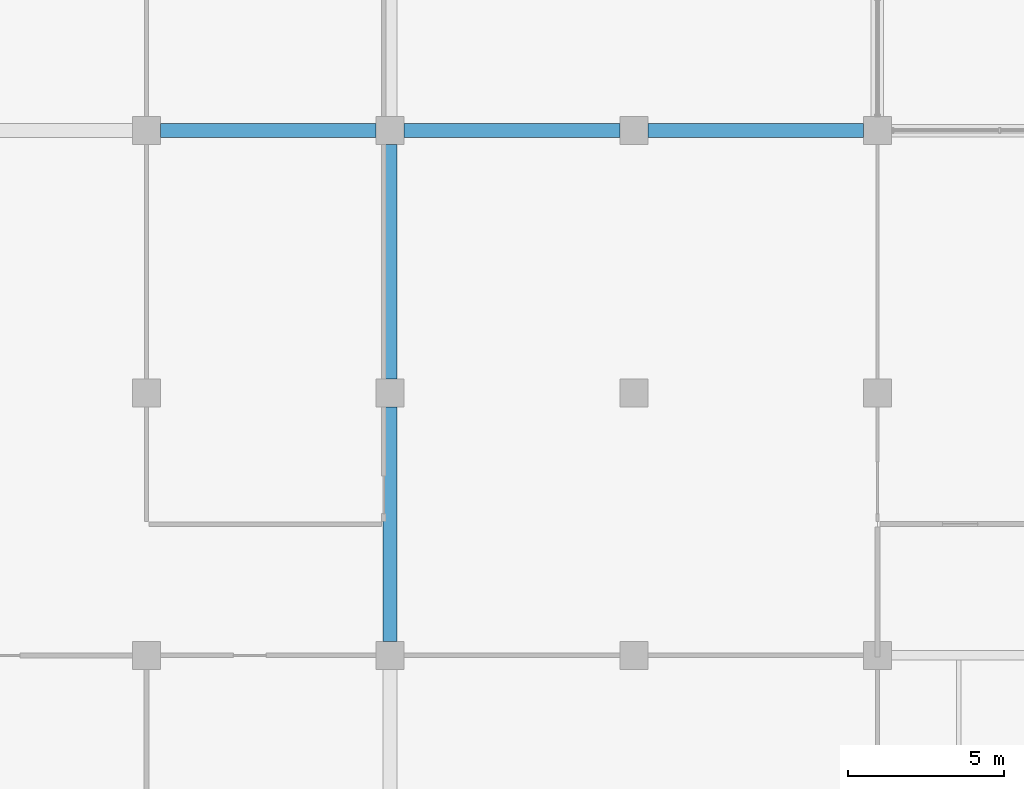
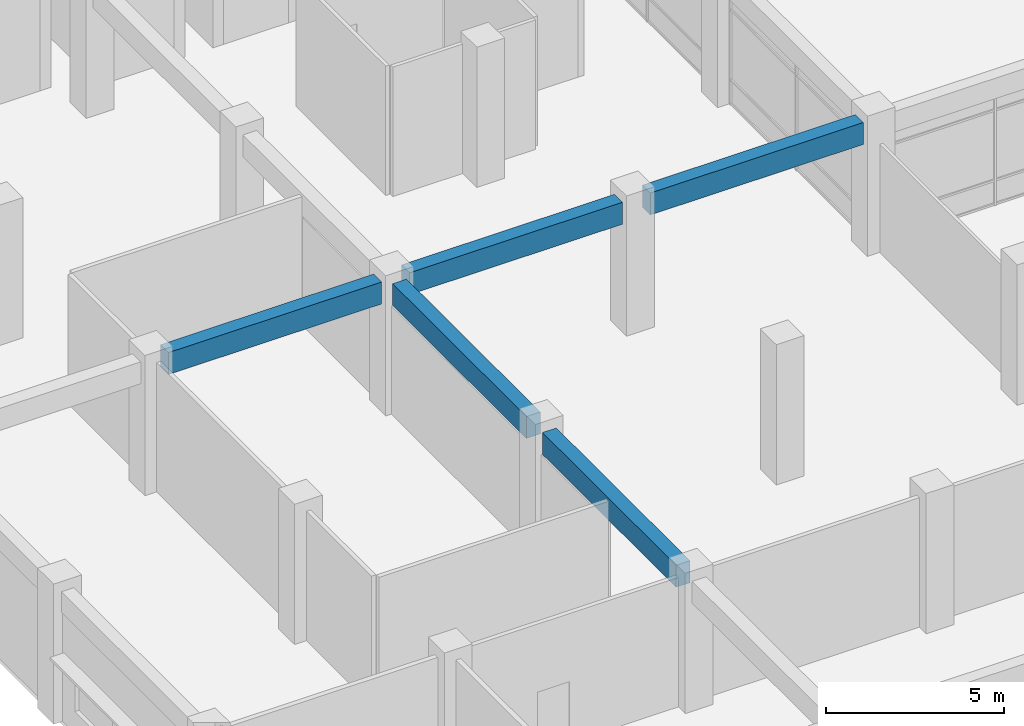
# One storey, part 4 of 74: 5 beams.
"""IFC4 building model written with IfcOpenShell, lengths in metres."""

from ifc_helpers import new_model, si_unit, direction, frame, origin, origin_2d, place, context, subcontext, project, spatial, rectangle, extrude, material, material_profile, profile_set, type_object, element, save


model = new_model("IFC4")

# Units and contexts
model_context = context("Model", 3, precision=1e-05, world=origin(), true_north=direction((0.0, 1.0)))
body_context = subcontext(model_context, "Body", "Model", "MODEL_VIEW")
ifc_project = project(units=[si_unit("LENGTHUNIT", "METRE"), si_unit("AREAUNIT", "SQUARE_METRE"), si_unit("VOLUMEUNIT", "CUBIC_METRE"), si_unit("PLANEANGLEUNIT", "RADIAN"), si_unit("MASSUNIT", "GRAM", prefix="KILO"), si_unit("THERMODYNAMICTEMPERATUREUNIT", "KELVIN"), si_unit("POWERUNIT", "WATT")], contexts=[model_context])

# Site, building, storey
site_placement = place(None, origin())
site = spatial("IfcSite", under=ifc_project, at=site_placement, CompositionType="ELEMENT")
building_placement = place(site_placement, origin())
building = spatial("IfcBuilding", under=site, at=building_placement, Name="Srebrne Nadtorze General Hospital", CompositionType="ELEMENT")
storey_placement = place(building_placement, origin())
storey = spatial("IfcBuildingStorey", under=building, at=storey_placement, Name="L00", CompositionType="ELEMENT", Elevation=0.0)

# Beams
ifc_material = material(Name="Concrete C40/50", Category="concrete")
ifc_material_profile = material_profile(ifc_material, rectangle(XDim=0.449951171875, YDim=0.75, at=origin_2d()), Name="RC-BM-450x750")
ifc_profile_set = profile_set([ifc_material_profile], Name="Concrete C40/50")
beam_type = type_object("IfcBeamType", Name="Primary beam RC 450x750", PredefinedType="BEAM", material=ifc_profile_set)
for number, where, z_axis, x_axis, name in (
    (1, (31.64990234375, 25.199951171875, 4.074951171875), (1.0, 0.0, 0.0), (0.0, 1.0, 0.0), "Beam BM-L00-X-0200"),
    (2, (39.449951171875, 25.199951171875, 4.074951171875), (1.0, 0.0, 0.0), (0.0, 1.0, 0.0), "Beam BM-L00-X-0201"),
):
    element("IfcBeam", number, at=place(storey_placement, frame(where, z_axis=z_axis, x_axis=x_axis)), inside=storey, type_object=beam_type, Name=name, PredefinedType="BEAM", context=body_context, shape_type="SweptSolid", body=[
        extrude(rectangle(XDim=0.449951171875, YDim=0.75, at=origin_2d()), origin(), (0.0, 0.0, 1.0), 6.900146484375),
    ])
beam_placement = place(storey_placement, frame((47.25, 25.199951171875, 4.074951171875), z_axis=(1.0, 0.0, 0.0), x_axis=(0.0, 1.0, 0.0)))
element("IfcBeam", 3, at=beam_placement, inside=storey, type_object=beam_type, Name="Beam BM-L00-X-0202", PredefinedType="BEAM", context=body_context, shape_type="SweptSolid", body=[
    extrude(rectangle(XDim=0.449951171875, YDim=0.75, at=origin_2d()), origin(), (0.0, 0.0, 1.0), 6.89990234375),
])
for number, where, z_axis, x_axis, name in (
    (4, (39.0, 8.85009765625, 4.074951171875), (0.0, 1.0, 0.0), (-1.0, 0.0, 0.0), "Beam BM-L00-Y-0295"),
    (5, (39.0, 17.25, 4.074951171875), (0.0, 1.0, 0.0), (-1.0, 0.0, 0.0), "Beam BM-L00-Y-0296"),
):
    element("IfcBeam", number, at=place(storey_placement, frame(where, z_axis=z_axis, x_axis=x_axis)), inside=storey, type_object=beam_type, Name=name, PredefinedType="BEAM", context=body_context, shape_type="SweptSolid", body=[
        extrude(rectangle(XDim=0.449951171875, YDim=0.75, at=origin_2d()), origin(), (0.0, 0.0, 1.0), 7.5),
    ])

save(model, "model.ifc")
